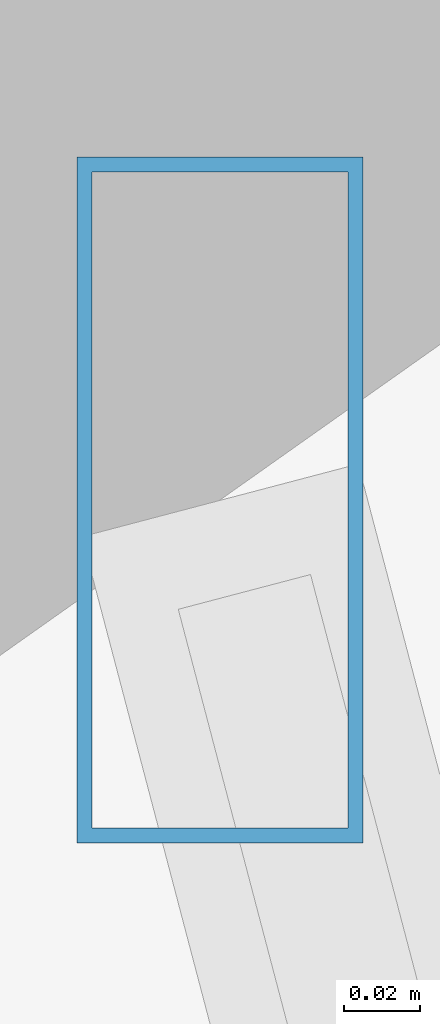
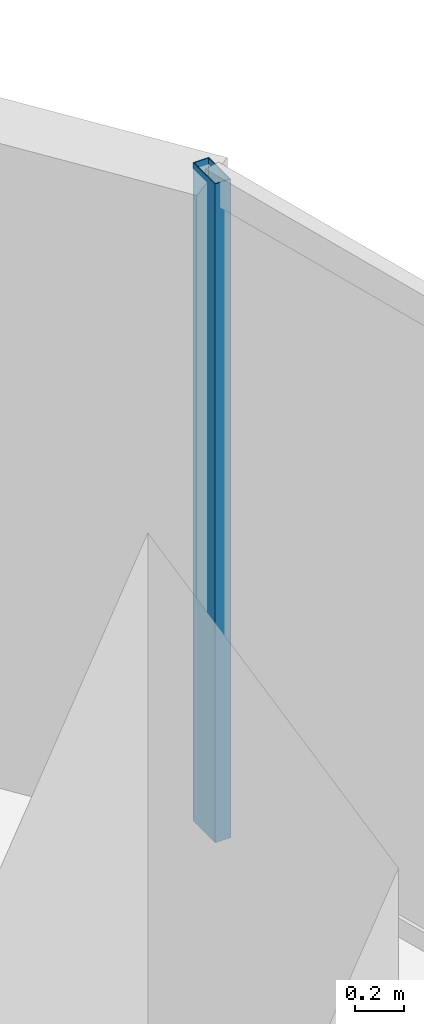
# One storey, part 18 of 34: 1 member, 1 element without a shape of its own.
"""IFC4 building model written with IfcOpenShell, lengths in metres."""

from ifc_helpers import new_model, si_unit, direction, frame, origin, origin_2d, place, context, subcontext, project, spatial, hollow_rectangle, extrude, material, material_profile, profile_set, type_object, element, aggregate, save


model = new_model("IFC4")

# Units and contexts
model_context = context("Model", 3, precision=1e-05, world=origin(), true_north=direction((0.0, 1.0)))
body_context = subcontext(model_context, "Body", "Model", "MODEL_VIEW")
ifc_project = project(units=[si_unit("LENGTHUNIT", "METRE"), si_unit("AREAUNIT", "SQUARE_METRE"), si_unit("VOLUMEUNIT", "CUBIC_METRE"), si_unit("PLANEANGLEUNIT", "RADIAN"), si_unit("MASSUNIT", "GRAM", prefix="KILO")], contexts=[model_context])

# Site, building, storey
site_placement = place(None, origin())
site = spatial("IfcSite", under=ifc_project, at=site_placement, CompositionType="ELEMENT")
building_placement = place(site_placement, origin())
building = spatial("IfcBuilding", under=site, at=building_placement, Name="Vorneva Point Tower", CompositionType="ELEMENT")
storey_placement = place(building_placement, frame((0.0, 0.0, 27.5)))
storey = spatial("IfcBuildingStorey", under=building, at=storey_placement, Name="L06", CompositionType="ELEMENT", Elevation=27.5)

# Curtain wall, member
ifc_material = material(Name="Pale anodised aluminium", Category="aluminium")
curtain_wall_type = type_object("IfcCurtainWallType", Name="CW-HTL-SYS", PredefinedType="NOTDEFINED", material=ifc_material)
curtain_wall_placement = place(storey_placement, origin())
curtain_wall = element("IfcCurtainWall", 1, at=curtain_wall_placement, inside=storey, type_object=curtain_wall_type, Name="L06 Unitised Curtain Wall CW-L06-R01", PredefinedType="NOTDEFINED")
ifc_material_profile = material_profile(ifc_material, hollow_rectangle(XDim=0.074951171875, YDim=0.179931640625, WallThickness=0.00390625, at=origin_2d()), Name="AL-MUL 180x75x4")
ifc_profile_set = profile_set([ifc_material_profile], Name="Pale anodised aluminium")
member_type = type_object("IfcMemberType", Name="CW-MUL-180", PredefinedType="MULLION", material=ifc_profile_set)
member_placement = place(storey_placement, frame((65.300537109375, 34.552978515625, -0.0400390625), z_axis=(0.0, 0.0, 1.0), x_axis=(1.0, 0.0, 0.0)))
member = element("IfcMember", 2, at=member_placement, type_object=member_type, Name="CW-L06-R01 Mullion 04", PredefinedType="MULLION", context=body_context, shape_type="SweptSolid", body=[
    extrude(hollow_rectangle(XDim=0.074951171875, YDim=0.179931640625, WallThickness=0.00390625, at=origin_2d()), origin(), (0.0, 0.0, 1.0), 3.31005859375),
])
aggregate(curtain_wall, [member])

save(model, "model.ifc")
